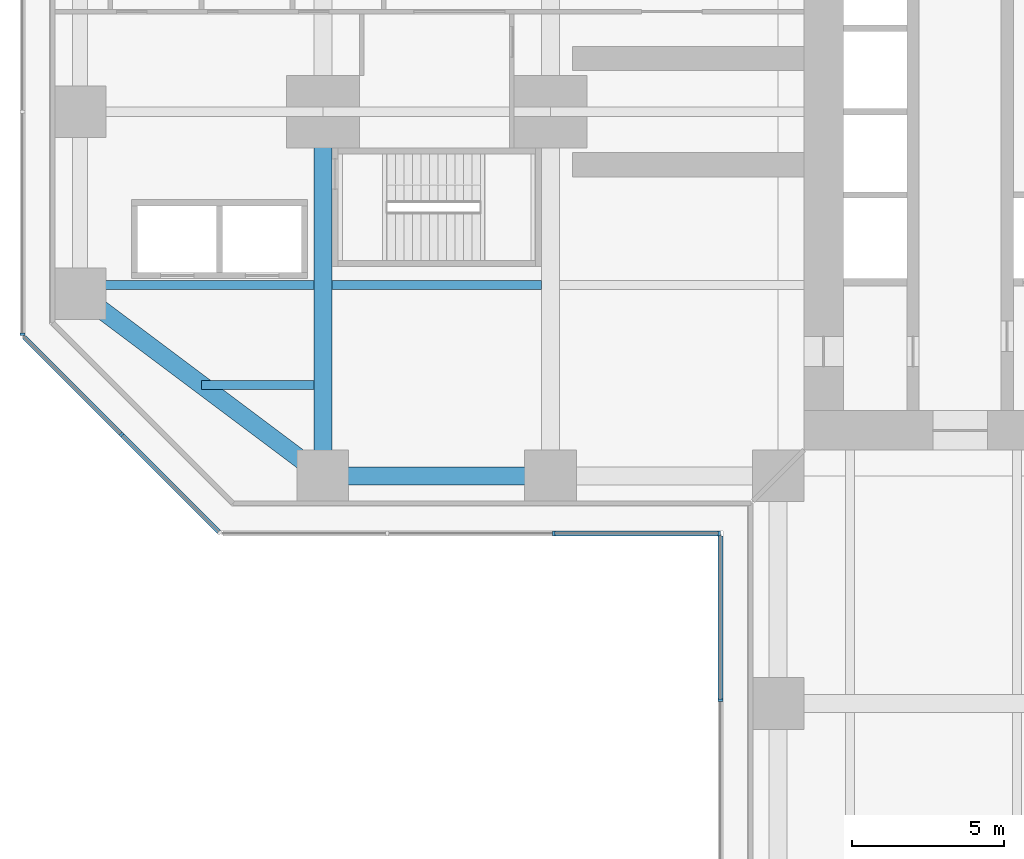
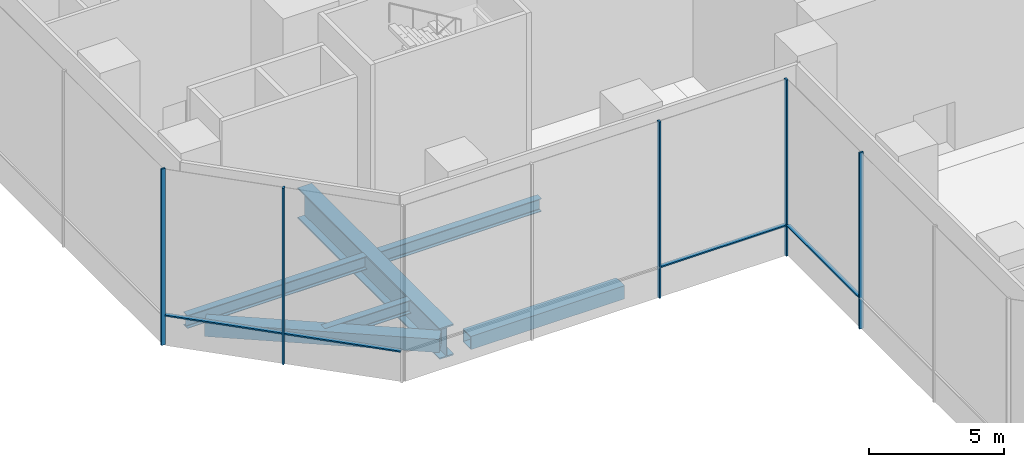
# One storey, part 3 of 25: 9 members, 6 beams, 4 elements without a shape of their own.
"""IFC4 building model written with IfcOpenShell, lengths in metres."""

from ifc_helpers import new_model, si_unit, direction, frame, origin, origin_2d, place, context, subcontext, project, spatial, rectangle, hollow_rectangle, i_section, extrude, material, material_profile, profile_set, type_object, element, aggregate, save


model = new_model("IFC4")

# Units and contexts
model_context = context("Model", 3, precision=1e-05, world=origin(), true_north=direction((0.0, 1.0)))
body_context = subcontext(model_context, "Body", "Model", "MODEL_VIEW")
ifc_project = project(units=[si_unit("LENGTHUNIT", "METRE"), si_unit("AREAUNIT", "SQUARE_METRE"), si_unit("VOLUMEUNIT", "CUBIC_METRE"), si_unit("PLANEANGLEUNIT", "RADIAN"), si_unit("MASSUNIT", "GRAM", prefix="KILO")], contexts=[model_context])

# Site, building, storey
site_placement = place(None, origin())
site = spatial("IfcSite", under=ifc_project, at=site_placement, CompositionType="ELEMENT")
building_placement = place(site_placement, origin())
building = spatial("IfcBuilding", under=site, at=building_placement, Name="Mizan Broadcast Tower", CompositionType="ELEMENT")
storey_placement = place(building_placement, frame((0.0, 0.0, 15.0)))
storey = spatial("IfcBuildingStorey", under=building, at=storey_placement, Name="L02", CompositionType="ELEMENT", Elevation=15.0)

# Beams
ifc_material_1 = material(Name="Steel S355", Category="steel")
ifc_material_profile_1 = material_profile(ifc_material_1, hollow_rectangle(XDim=0.60009765625, YDim=0.60009765625, WallThickness=0.030029296875, at=origin_2d()), Name="BOX 600x600x30")
ifc_profile_set_1 = profile_set([ifc_material_profile_1], Name="Steel S355")
beam_type_1 = type_object("IfcBeamType", Name="EDGE BEAM BOX 600x600x30", PredefinedType="SPANDREL", material=ifc_profile_set_1)
beam_1_placement = place(storey_placement, frame((-27.47998046875, -11.639892578125, -0.550048828125), z_axis=(-0.800013316712, 0.599982243973, 0.0), x_axis=(-0.599982243973, -0.800013316712, 0.0)))
element("IfcBeam", 1, at=beam_1_placement, inside=storey, type_object=beam_type_1, Name="Edge beam BOX 600x600x30 L02 west arm", PredefinedType="SPANDREL", context=body_context, shape_type="SweptSolid", body=[
    extrude(hollow_rectangle(XDim=0.60009765625, YDim=0.60009765625, WallThickness=0.030029296875, at=origin_2d()), origin(), (0.0, 0.0, 1.0), 8.7998046875),
])
ifc_material_2 = material(Name="Steel S355", Category="steel")
ifc_material_profile_2 = material_profile(ifc_material_2, hollow_rectangle(XDim=0.60009765625, YDim=0.60009765625, WallThickness=0.0400390625, at=origin_2d()), Name="BOX 600x600x40")
ifc_profile_set_2 = profile_set([ifc_material_profile_2], Name="Steel S355")
beam_type_2 = type_object("IfcBeamType", Name="EDGE BEAM BOX 600x600x40", PredefinedType="SPANDREL", material=ifc_profile_set_2)
beam_2_placement = place(storey_placement, frame((-19.949951171875, -12.0, -0.550048828125), z_axis=(-1.0, 0.0, 0.0), x_axis=(0.0, -1.0, 0.0)))
element("IfcBeam", 2, at=beam_2_placement, inside=storey, type_object=beam_type_2, Name="Edge beam BOX 600x600x40 L02 west arm", PredefinedType="SPANDREL", context=body_context, shape_type="SweptSolid", body=[
    extrude(hollow_rectangle(XDim=0.60009765625, YDim=0.60009765625, WallThickness=0.0400390625, at=origin_2d()), origin(), (0.0, 0.0, 1.0), 6.60009765625),
])
ifc_material_3 = material(Name="Steel S460", Category="steel")
ifc_material_profile_3 = material_profile(ifc_material_3, i_section(OverallWidth=0.60009765625, OverallDepth=1.39990234375, WebThickness=0.02490234375, FlangeThickness=0.06005859375, at=origin_2d()), Name="WPG 1400x600")
ifc_profile_set_3 = profile_set([ifc_material_profile_3], Name="Steel S460")
beam_type_3 = type_object("IfcBeamType", Name="GIRDER WPG 1400x600", PredefinedType="BEAM", material=ifc_profile_set_3)
beam_3_placement = place(storey_placement, frame((-27.0, -0.719970703125, -0.949951171875), z_axis=(0.0, -1.0, 0.0), x_axis=(1.0, 0.0, 0.0)))
element("IfcBeam", 3, at=beam_3_placement, inside=storey, type_object=beam_type_3, Name="Girder WPG 1400x600 L02 west arm", PredefinedType="BEAM", context=body_context, shape_type="SweptSolid", body=[
    extrude(i_section(OverallWidth=0.60009765625, OverallDepth=1.39990234375, WebThickness=0.02490234375, FlangeThickness=0.06005859375, at=origin_2d()), origin(), (0.0, 0.0, 1.0), 10.56005859375),
])

# Curtain wall, member
ifc_material_4 = material(Name="Aluminium framed glazing", Category="aluminium")
curtain_wall_type = type_object("IfcCurtainWallType", Name="OUTER SKIN", PredefinedType="USERDEFINED", material=ifc_material_4)
curtain_wall_1_placement = place(storey_placement, origin())
curtain_wall_1 = element("IfcCurtainWall", 4, at=curtain_wall_1_placement, inside=storey, type_object=curtain_wall_type, Name="Outer skin L02 W end", ObjectType="OUTER SKIN", PredefinedType="USERDEFINED")
ifc_material_5 = material(Name="Aluminium, pale anodised", Category="aluminium")
ifc_material_profile_4 = material_profile(ifc_material_5, rectangle(XDim=0.159912109375, YDim=0.080078125, at=origin_2d()), Name="MULLION 160x80")
ifc_profile_set_4 = profile_set([ifc_material_profile_4], Name="Aluminium, pale anodised")
member_type_1 = type_object("IfcMemberType", Name="OUTER SKIN MULLION 80x160", PredefinedType="MULLION", material=ifc_profile_set_4)
member_1_placement = place(storey_placement, frame((-36.89990234375, -7.332763671875, 0.0), z_axis=(0.0, 0.0, 1.0), x_axis=(1.0, 0.0, 0.0)))
member_1 = element("IfcMember", 5, at=member_1_placement, type_object=member_type_1, Name="Outer skin L02 W end mullion 3", PredefinedType="MULLION", context=body_context, shape_type="SweptSolid", body=[
    extrude(rectangle(XDim=0.159912109375, YDim=0.080078125, at=origin_2d()), origin(), (0.0, 0.0, 1.0), 8.0),
])
aggregate(curtain_wall_1, [member_1])

curtain_wall_2_placement = place(storey_placement, origin())
curtain_wall_2 = element("IfcCurtainWall", 6, at=curtain_wall_2_placement, inside=storey, type_object=curtain_wall_type, Name="Outer skin L02 W chamfer", ObjectType="OUTER SKIN", PredefinedType="USERDEFINED")
member_2_placement = place(storey_placement, frame((-33.636474609375, -10.636474609375, 0.0), z_axis=(0.0, 0.0, 1.0), x_axis=(0.707106781187, 0.707106781187, 0.0)))
member_2 = element("IfcMember", 7, at=member_2_placement, type_object=member_type_1, Name="Outer skin L02 W chamfer mullion 2", PredefinedType="MULLION", context=body_context, shape_type="SweptSolid", body=[
    extrude(rectangle(XDim=0.159912109375, YDim=0.080078125, at=origin_2d()), origin(), (0.0, 0.0, 1.0), 8.0),
])

# Curtain wall, members
curtain_wall_3_placement = place(storey_placement, origin())
curtain_wall_3 = element("IfcCurtainWall", 8, at=curtain_wall_3_placement, inside=storey, type_object=curtain_wall_type, Name="Outer skin L02 W side", ObjectType="OUTER SKIN", PredefinedType="USERDEFINED")
member_3_placement = place(storey_placement, frame((-19.390869140625, -13.89990234375, 0.0), z_axis=(0.0, 0.0, 1.0), x_axis=(0.0, 1.0, 0.0)))
member_3 = element("IfcMember", 9, at=member_3_placement, type_object=member_type_1, Name="Outer skin L02 W side mullion 3", PredefinedType="MULLION", context=body_context, shape_type="SweptSolid", body=[
    extrude(rectangle(XDim=0.159912109375, YDim=0.080078125, at=origin_2d()), origin(), (0.0, 0.0, 1.0), 8.0),
])
member_4_placement = place(storey_placement, frame((-13.93994140625, -13.89990234375, 0.0), z_axis=(0.0, 0.0, 1.0), x_axis=(0.0, 1.0, 0.0)))
member_4 = element("IfcMember", 10, at=member_4_placement, type_object=member_type_1, Name="Outer skin L02 W side mullion 4", PredefinedType="MULLION", context=body_context, shape_type="SweptSolid", body=[
    extrude(rectangle(XDim=0.159912109375, YDim=0.080078125, at=origin_2d()), origin(), (0.0, 0.0, 1.0), 8.0),
])

# Curtain wall, member
curtain_wall_4_placement = place(storey_placement, origin())
curtain_wall_4 = element("IfcCurtainWall", 11, at=curtain_wall_4_placement, inside=storey, type_object=curtain_wall_type, Name="Outer skin L02 S side", ObjectType="OUTER SKIN", PredefinedType="USERDEFINED")
member_5_placement = place(storey_placement, frame((-13.89990234375, -19.390869140625, 0.0), z_axis=(0.0, 0.0, 1.0), x_axis=(1.0, 0.0, 0.0)))
member_5 = element("IfcMember", 12, at=member_5_placement, type_object=member_type_1, Name="Outer skin L02 S side mullion 2", PredefinedType="MULLION", context=body_context, shape_type="SweptSolid", body=[
    extrude(rectangle(XDim=0.159912109375, YDim=0.080078125, at=origin_2d()), origin(), (0.0, 0.0, 1.0), 8.0),
])

# Member
ifc_material_6 = material(Name="Aluminium, pale anodised", Category="aluminium")
ifc_material_profile_5 = material_profile(ifc_material_6, rectangle(XDim=0.159912109375, YDim=0.06005859375, at=origin_2d()), Name="TRANSOM 160x60")
ifc_profile_set_5 = profile_set([ifc_material_profile_5], Name="Aluminium, pale anodised")
member_type_2 = type_object("IfcMemberType", Name="OUTER SKIN TRANSOM 60x160", PredefinedType="USERDEFINED", material=ifc_profile_set_5)
member_6_placement = place(storey_placement, frame((-36.843505859375, -7.429443359375, 1.39990234375), z_axis=(0.707106781187, -0.707106781187, 0.0), x_axis=(0.707106781187, 0.707106781187, 0.0)))
member_6 = element("IfcMember", 13, at=member_6_placement, type_object=member_type_2, Name="Outer skin L02 W chamfer transom 1.1", ObjectType="TRANSOM", PredefinedType="USERDEFINED", context=body_context, shape_type="SweptSolid", body=[
    extrude(rectangle(XDim=0.159912109375, YDim=0.06005859375, at=origin_2d()), origin(), (0.0, 0.0, 1.0), 4.495361328125),
])

member_7_placement = place(storey_placement, frame((-33.608154296875, -10.664794921875, 1.39990234375), z_axis=(0.707106781187, -0.707106781187, 0.0), x_axis=(0.707106781187, 0.707106781187, 0.0)))
member_7 = element("IfcMember", 14, at=member_7_placement, type_object=member_type_2, Name="Outer skin L02 W chamfer transom 2.1", ObjectType="TRANSOM", PredefinedType="USERDEFINED", context=body_context, shape_type="SweptSolid", body=[
    extrude(rectangle(XDim=0.159912109375, YDim=0.06005859375, at=origin_2d()), origin(), (0.0, 0.0, 1.0), 4.495361328125),
])

aggregate(curtain_wall_2, [member_2, member_6, member_7])

member_8_placement = place(storey_placement, frame((-19.350830078125, -13.89990234375, 1.39990234375), z_axis=(1.0, 0.0, 0.0), x_axis=(0.0, 1.0, 0.0)))
member_8 = element("IfcMember", 15, at=member_8_placement, type_object=member_type_2, Name="Outer skin L02 W side transom 3.1", ObjectType="TRANSOM", PredefinedType="USERDEFINED", context=body_context, shape_type="SweptSolid", body=[
    extrude(rectangle(XDim=0.159912109375, YDim=0.06005859375, at=origin_2d()), origin(), (0.0, 0.0, 1.0), 5.370849609375),
])

aggregate(curtain_wall_3, [member_3, member_4, member_8])

member_9_placement = place(storey_placement, frame((-13.89990234375, -13.97998046875, 1.39990234375), z_axis=(0.0, -1.0, 0.0), x_axis=(1.0, 0.0, 0.0)))
member_9 = element("IfcMember", 16, at=member_9_placement, type_object=member_type_2, Name="Outer skin L02 S side transom 1.1", ObjectType="TRANSOM", PredefinedType="USERDEFINED", context=body_context, shape_type="SweptSolid", body=[
    extrude(rectangle(XDim=0.159912109375, YDim=0.06005859375, at=origin_2d()), origin(), (0.0, 0.0, 1.0), 5.370849609375),
])

aggregate(curtain_wall_4, [member_5, member_9])

# Beams
ifc_material_7 = material(Name="Steel S355", Category="steel")
ifc_material_profile_6 = material_profile(ifc_material_7, i_section(OverallWidth=0.300048828125, OverallDepth=0.590087890625, WebThickness=0.012939453125, FlangeThickness=0.02490234375, FilletRadius=0.027099609375, at=origin_2d()), Name="HEA 600")
ifc_profile_set_6 = profile_set([ifc_material_profile_6], Name="Steel S355")
beam_type_4 = type_object("IfcBeamType", Name="SECONDARY BEAM HEA 600", PredefinedType="JOIST", material=ifc_profile_set_6)
beam_4_placement = place(storey_placement, frame((-19.800048828125, -5.71435546875, -0.544921875), z_axis=(-1.0, 0.0, 0.0), x_axis=(0.0, -1.0, 0.0)))
element("IfcBeam", 17, at=beam_4_placement, inside=storey, type_object=beam_type_4, Name="Secondary beam HEA 600 L02 west arm", PredefinedType="JOIST", context=body_context, shape_type="SweptSolid", body=[
    extrude(i_section(OverallWidth=0.300048828125, OverallDepth=0.590087890625, WebThickness=0.012939453125, FlangeThickness=0.02490234375, FilletRadius=0.027099609375, at=origin_2d()), origin(), (0.0, 0.0, 1.0), 6.89990234375),
])
beam_5_placement = place(storey_placement, frame((-27.300048828125, -5.71435546875, -0.544921875), z_axis=(-1.0, 0.0, 0.0), x_axis=(0.0, -1.0, 0.0)))
element("IfcBeam", 18, at=beam_5_placement, inside=storey, type_object=beam_type_4, Name="Secondary beam HEA 600 L02 west arm", PredefinedType="JOIST", context=body_context, shape_type="SweptSolid", body=[
    extrude(i_section(OverallWidth=0.300048828125, OverallDepth=0.590087890625, WebThickness=0.012939453125, FlangeThickness=0.02490234375, FilletRadius=0.027099609375, at=origin_2d()), origin(), (0.0, 0.0, 1.0), 7.699951171875),
])
beam_6_placement = place(storey_placement, frame((-27.300048828125, -9.0, -0.544921875), z_axis=(-1.0, 0.0, 0.0), x_axis=(0.0, -1.0, 0.0)))
element("IfcBeam", 19, at=beam_6_placement, inside=storey, type_object=beam_type_4, Name="Secondary beam HEA 600 L02 west arm", PredefinedType="JOIST", context=body_context, shape_type="SweptSolid", body=[
    extrude(i_section(OverallWidth=0.300048828125, OverallDepth=0.590087890625, WebThickness=0.012939453125, FlangeThickness=0.02490234375, FilletRadius=0.027099609375, at=origin_2d()), origin(), (0.0, 0.0, 1.0), 3.699951171875),
])

save(model, "model.ifc")
